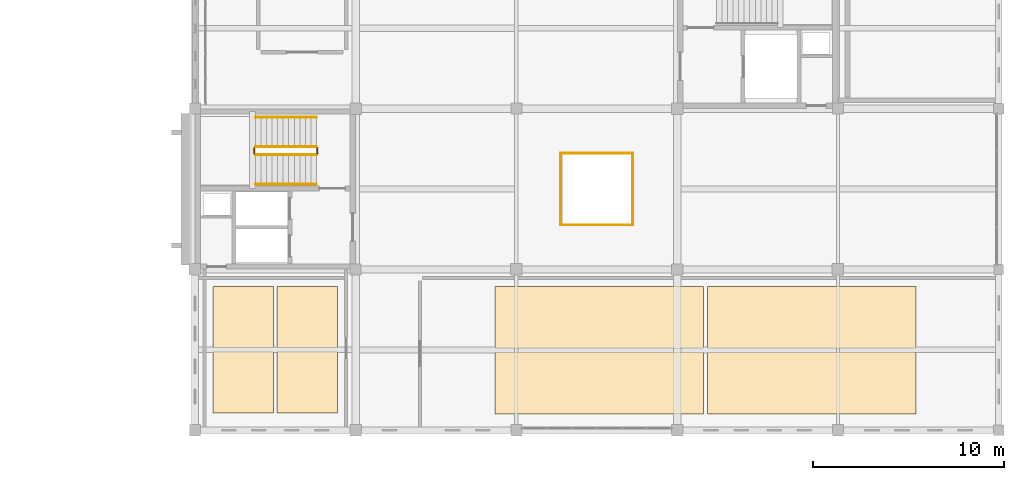
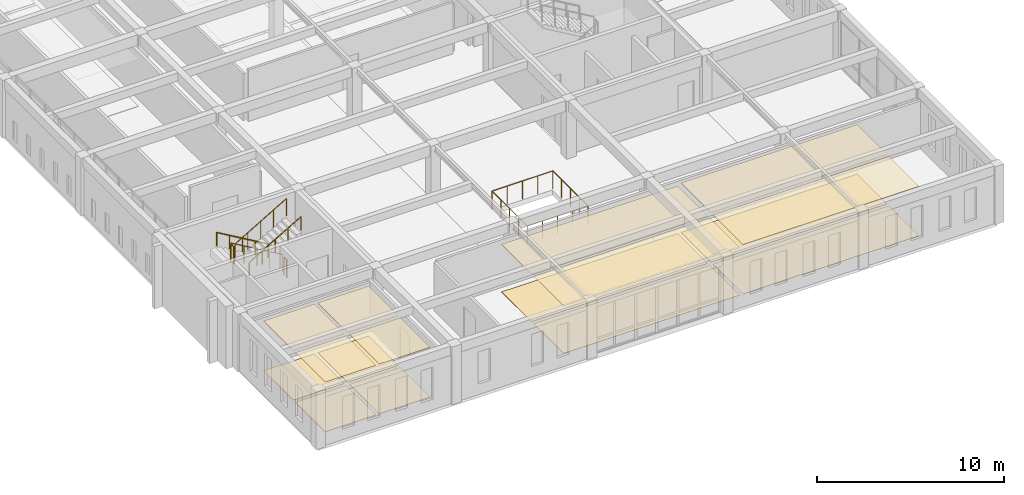
# One storey, part 52 of 56: 16 coverings, 10 railings.
"""IFC4 building model written with IfcOpenShell, lengths in metres."""

from ifc_helpers import new_model, si_unit, direction, frame, origin, origin_2d, place, context, subcontext, project, spatial, rectangle, circle, extrude, material, layer, layer_set, type_object, element, save


model = new_model("IFC4")

# Units and contexts
model_context = context("Model", 3, precision=1e-05, world=origin(), true_north=direction((0.0, 1.0)))
body_context = subcontext(model_context, "Body", "Model", "MODEL_VIEW")
ifc_project = project(units=[si_unit("LENGTHUNIT", "METRE"), si_unit("AREAUNIT", "SQUARE_METRE"), si_unit("VOLUMEUNIT", "CUBIC_METRE"), si_unit("PLANEANGLEUNIT", "RADIAN"), si_unit("MASSUNIT", "GRAM", prefix="KILO")], contexts=[model_context])

# Site, building, storey
site_placement = place(None, origin())
site = spatial("IfcSite", under=ifc_project, at=site_placement, CompositionType="ELEMENT")
building_placement = place(site_placement, origin())
building = spatial("IfcBuilding", under=site, at=building_placement, Name="Kveldsbrygga Polytechnic", CompositionType="ELEMENT")
storey_placement = place(building_placement, frame((0.0, 0.0, 18.02001953125)))
storey = spatial("IfcBuildingStorey", under=building, at=storey_placement, Name="L04", CompositionType="ELEMENT", Elevation=18.02001953125)

# Coverings
ifc_material_1 = material(Name="Acoustic mineral baffle ceiling")
ifc_layer_1 = layer(ifc_material_1, 0.030029296875)
ifc_layer_set_1 = layer_set([ifc_layer_1], Name="Acoustic mineral baffle ceiling")
covering_type_1 = type_object("IfcCoveringType", Name="COV-CEIL-AC30", PredefinedType="CEILING", material=ifc_layer_set_1)
for number, where, z_axis, x_axis, name in (
    (1, (147.125, 19.262451171875, 3.10009765625), (0.0, 0.0, 1.0), (1.0, 0.0, 0.0), "Acoustic Ceiling SP-L04-STD41-WS"),
    (2, (147.125, 22.6875, 3.10009765625), (0.0, 0.0, 1.0), (1.0, 0.0, 0.0), "Acoustic Ceiling SP-L04-STD41-WN"),
    (3, (158.22509765625, 19.262451171875, 3.22998046875), (0.0, 0.0, 1.0), (1.0, 0.0, 0.0), "Acoustic Ceiling SP-L04-STD41-ES"),
    (4, (158.22509765625, 22.6875, 3.22998046875), (0.0, 0.0, 1.0), (1.0, 0.0, 0.0), "Acoustic Ceiling SP-L04-STD41-EN"),
):
    element("IfcCovering", number, at=place(storey_placement, frame(where, z_axis=z_axis, x_axis=x_axis)), inside=storey, type_object=covering_type_1, Name=name, PredefinedType="CEILING", context=body_context, shape_type="SweptSolid", body=[
        extrude(rectangle(XDim=10.89990234375, YDim=3.22509765625, at=origin_2d()), origin(), (0.0, 0.0, 1.0), 0.030029296875),
    ])
for number, where, z_axis, x_axis, name in (
    (5, (128.52490234375, 19.300048828125, 3.25), (0.0, 0.0, 1.0), (1.0, 0.0, 0.0), "Acoustic Ceiling SP-L04-SEM42-WS"),
    (6, (128.52490234375, 22.699951171875, 3.25), (0.0, 0.0, 1.0), (1.0, 0.0, 0.0), "Acoustic Ceiling SP-L04-SEM42-WN"),
    (7, (131.875, 19.300048828125, 3.25), (0.0, 0.0, 1.0), (1.0, 0.0, 0.0), "Acoustic Ceiling SP-L04-SEM42-ES"),
    (8, (131.875, 22.699951171875, 3.25), (0.0, 0.0, 1.0), (1.0, 0.0, 0.0), "Acoustic Ceiling SP-L04-SEM42-EN"),
):
    element("IfcCovering", number, at=place(storey_placement, frame(where, z_axis=z_axis, x_axis=x_axis)), inside=storey, type_object=covering_type_1, Name=name, PredefinedType="CEILING", context=body_context, shape_type="SweptSolid", body=[
        extrude(rectangle(XDim=3.14990234375, YDim=3.199951171875, at=origin_2d()), origin(), (0.0, 0.0, 1.0), 0.030029296875),
    ])
ifc_material_2 = material(Name="Acoustic oak timber flooring", Category="wood")
ifc_layer_2 = layer(ifc_material_2, 0.02197265625)
ifc_layer_set_2 = layer_set([ifc_layer_2], Name="Acoustic oak timber flooring")
covering_type_2 = type_object("IfcCoveringType", Name="COV-FLR-OAK22", PredefinedType="FLOORING", material=ifc_layer_set_2)
for number, where, z_axis, x_axis, name in (
    (9, (147.125, 19.262451171875, 0.0), (0.0, 0.0, 1.0), (1.0, 0.0, 0.0), "Room Flooring SP-L04-STD41-WS"),
    (10, (147.125, 22.6875, 0.0), (0.0, 0.0, 1.0), (1.0, 0.0, 0.0), "Room Flooring SP-L04-STD41-WN"),
    (11, (158.22509765625, 19.262451171875, 0.0), (0.0, 0.0, 1.0), (1.0, 0.0, 0.0), "Room Flooring SP-L04-STD41-ES"),
    (12, (158.22509765625, 22.6875, 0.0), (0.0, 0.0, 1.0), (1.0, 0.0, 0.0), "Room Flooring SP-L04-STD41-EN"),
):
    element("IfcCovering", number, at=place(storey_placement, frame(where, z_axis=z_axis, x_axis=x_axis)), inside=storey, type_object=covering_type_2, Name=name, PredefinedType="FLOORING", context=body_context, shape_type="SweptSolid", body=[
        extrude(rectangle(XDim=10.89990234375, YDim=3.22509765625, at=origin_2d()), origin(), (0.0, 0.0, 1.0), 0.02197265625),
    ])
for number, where, z_axis, x_axis, name in (
    (13, (128.52490234375, 19.300048828125, 0.0), (0.0, 0.0, 1.0), (1.0, 0.0, 0.0), "Room Flooring SP-L04-SEM42-WS"),
    (14, (128.52490234375, 22.699951171875, 0.0), (0.0, 0.0, 1.0), (1.0, 0.0, 0.0), "Room Flooring SP-L04-SEM42-WN"),
    (15, (131.875, 19.300048828125, 0.0), (0.0, 0.0, 1.0), (1.0, 0.0, 0.0), "Room Flooring SP-L04-SEM42-ES"),
    (16, (131.875, 22.699951171875, 0.0), (0.0, 0.0, 1.0), (1.0, 0.0, 0.0), "Room Flooring SP-L04-SEM42-EN"),
):
    element("IfcCovering", number, at=place(storey_placement, frame(where, z_axis=z_axis, x_axis=x_axis)), inside=storey, type_object=covering_type_2, Name=name, PredefinedType="FLOORING", context=body_context, shape_type="SweptSolid", body=[
        extrude(rectangle(XDim=3.14990234375, YDim=3.199951171875, at=origin_2d()), origin(), (0.0, 0.0, 1.0), 0.02197265625),
    ])

# Railings
ifc_material_3 = material(Name="Steel S355", Category="steel")
railing_type_1 = type_object("IfcRailingType", Name="RL-STAIR-GRD", PredefinedType="GUARDRAIL", material=ifc_material_3)
railing_1_placement = place(storey_placement, frame((132.35009765625, 31.60009765625, 0.169921875)))
element("IfcRailing", 17, at=railing_1_placement, inside=storey, type_object=railing_type_1, Name="L04 ST-1 stair guard 1", PredefinedType="GUARDRAIL", context=body_context, shape_type="SweptSolid", body=[
    extrude(circle(Radius=0.02392578125, at=origin_2d()), frame((0.0, 0.0, 1.1259765625), z_axis=(-0.862696976859, 0.0, 0.505721194057), x_axis=(0.0, -1.0, 0.0)), (0.0, 0.0, 1.0), 3.697998046875),
    extrude(circle(Radius=0.02099609375, at=origin_2d()), origin(), (0.0, 0.0, 1.0), 1.097900390625),
    extrude(circle(Radius=0.02099609375, at=origin_2d()), frame((-0.797607421875, 0.0, 0.467529296875)), (0.0, 0.0, 1.0), 1.097900390625),
    extrude(circle(Radius=0.02099609375, at=origin_2d()), frame((-1.59521484375, 0.0, 0.93505859375)), (0.0, 0.0, 1.0), 1.097900390625),
    extrude(circle(Radius=0.02099609375, at=origin_2d()), frame((-2.392578125, 0.0, 1.402587890625)), (0.0, 0.0, 1.0), 1.097900390625),
    extrude(circle(Radius=0.02099609375, at=origin_2d()), frame((-3.190185546875, 0.0, 1.8701171875)), (0.0, 0.0, 1.0), 1.097900390625),
])
railing_2_placement = place(storey_placement, frame((129.110107421875, 31.550048828125, 2.0400390625)))
element("IfcRailing", 18, at=railing_2_placement, inside=storey, type_object=railing_type_1, Name="L04 ST-1 stair guard 2", PredefinedType="GUARDRAIL", context=body_context, shape_type="SweptSolid", body=[
    extrude(circle(Radius=0.02392578125, at=origin_2d()), frame((0.0, 0.0, 1.1259765625), z_axis=(0.0, -1.0, 0.0), x_axis=(1.0, 0.0, 0.0)), (0.0, 0.0, 1.0), 0.300048828125),
    extrude(circle(Radius=0.02099609375, at=origin_2d()), origin(), (0.0, 0.0, 1.0), 1.097900390625),
    extrude(circle(Radius=0.02099609375, at=origin_2d()), frame((0.0, -0.300048828125, 0.0)), (0.0, 0.0, 1.0), 1.097900390625),
])
railing_3_placement = place(storey_placement, frame((129.159912109375, 31.199951171875, 2.2099609375)))
element("IfcRailing", 19, at=railing_3_placement, inside=storey, type_object=railing_type_1, Name="L04 ST-1 stair guard 3", PredefinedType="GUARDRAIL", context=body_context, shape_type="SweptSolid", body=[
    extrude(circle(Radius=0.02392578125, at=origin_2d()), frame((0.0, 0.0, 1.1259765625), z_axis=(0.862696976859, 0.0, 0.505721194057), x_axis=(0.0, 1.0, 0.0)), (0.0, 0.0, 1.0), 3.697998046875),
    extrude(circle(Radius=0.02099609375, at=origin_2d()), origin(), (0.0, 0.0, 1.0), 1.097900390625),
    extrude(circle(Radius=0.02099609375, at=origin_2d()), frame((0.797607421875, 0.0, 0.467529296875)), (0.0, 0.0, 1.0), 1.097900390625),
    extrude(circle(Radius=0.02099609375, at=origin_2d()), frame((1.59521484375, 0.0, 0.93505859375)), (0.0, 0.0, 1.0), 1.097900390625),
    extrude(circle(Radius=0.02099609375, at=origin_2d()), frame((2.392578125, 0.0, 1.402587890625)), (0.0, 0.0, 1.0), 1.097900390625),
    extrude(circle(Radius=0.02099609375, at=origin_2d()), frame((3.190185546875, 0.0, 1.8701171875)), (0.0, 0.0, 1.0), 1.097900390625),
])
railing_4_placement = place(storey_placement, frame((132.39990234375, 31.550048828125, 0.0)))
element("IfcRailing", 20, at=railing_4_placement, inside=storey, type_object=railing_type_1, Name="L04 ST-1 stair guard 4", PredefinedType="GUARDRAIL", context=body_context, shape_type="SweptSolid", body=[
    extrude(circle(Radius=0.02392578125, at=origin_2d()), frame((0.0, 0.0, 1.1259765625), z_axis=(0.0, -1.0, 0.0), x_axis=(1.0, 0.0, 0.0)), (0.0, 0.0, 1.0), 0.300048828125),
    extrude(circle(Radius=0.02099609375, at=origin_2d()), origin(), (0.0, 0.0, 1.0), 1.097900390625),
    extrude(circle(Radius=0.02099609375, at=origin_2d()), frame((0.0, -0.300048828125, 0.0)), (0.0, 0.0, 1.0), 1.097900390625),
])
railing_type_2 = type_object("IfcRailingType", Name="RL-STAIR-HND", PredefinedType="HANDRAIL", material=ifc_material_3)
railing_5_placement = place(storey_placement, frame((132.35009765625, 33.14990234375, 0.169921875)))
element("IfcRailing", 21, at=railing_5_placement, inside=storey, type_object=railing_type_2, Name="L04 ST-1 stair handrail 1", PredefinedType="HANDRAIL", context=body_context, shape_type="SweptSolid", body=[
    extrude(circle(Radius=0.02392578125, at=origin_2d()), frame((0.0, 0.0, 0.8759765625), z_axis=(-0.862696976859, 0.0, 0.505721194057), x_axis=(0.0, -1.0, 0.0)), (0.0, 0.0, 1.0), 3.697998046875),
    extrude(circle(Radius=0.02099609375, at=origin_2d()), origin(), (0.0, 0.0, 1.0), 0.847900390625),
    extrude(circle(Radius=0.02099609375, at=origin_2d()), frame((-0.797607421875, 0.0, 0.467529296875)), (0.0, 0.0, 1.0), 0.847900390625),
    extrude(circle(Radius=0.02099609375, at=origin_2d()), frame((-1.59521484375, 0.0, 0.93505859375)), (0.0, 0.0, 1.0), 0.847900390625),
    extrude(circle(Radius=0.02099609375, at=origin_2d()), frame((-2.392578125, 0.0, 1.402587890625)), (0.0, 0.0, 1.0), 0.847900390625),
    extrude(circle(Radius=0.02099609375, at=origin_2d()), frame((-3.190185546875, 0.0, 1.8701171875)), (0.0, 0.0, 1.0), 0.847900390625),
])
railing_6_placement = place(storey_placement, frame((129.159912109375, 29.64990234375, 2.2099609375)))
element("IfcRailing", 22, at=railing_6_placement, inside=storey, type_object=railing_type_2, Name="L04 ST-1 stair handrail 2", PredefinedType="HANDRAIL", context=body_context, shape_type="SweptSolid", body=[
    extrude(circle(Radius=0.02392578125, at=origin_2d()), frame((0.0, 0.0, 0.8759765625), z_axis=(0.862696976859, 0.0, 0.505721194057), x_axis=(0.0, 1.0, 0.0)), (0.0, 0.0, 1.0), 3.697998046875),
    extrude(circle(Radius=0.02099609375, at=origin_2d()), origin(), (0.0, 0.0, 1.0), 0.847900390625),
    extrude(circle(Radius=0.02099609375, at=origin_2d()), frame((0.797607421875, 0.0, 0.467529296875)), (0.0, 0.0, 1.0), 0.847900390625),
    extrude(circle(Radius=0.02099609375, at=origin_2d()), frame((1.59521484375, 0.0, 0.93505859375)), (0.0, 0.0, 1.0), 0.847900390625),
    extrude(circle(Radius=0.02099609375, at=origin_2d()), frame((2.392578125, 0.0, 1.402587890625)), (0.0, 0.0, 1.0), 0.847900390625),
    extrude(circle(Radius=0.02099609375, at=origin_2d()), frame((3.190185546875, 0.0, 1.8701171875)), (0.0, 0.0, 1.0), 0.847900390625),
])
railing_type_3 = type_object("IfcRailingType", Name="RL-VOID-GRD", PredefinedType="GUARDRAIL", material=ifc_material_3)
railing_7_placement = place(storey_placement, frame((145.1201171875, 27.52001953125, 0.0)))
element("IfcRailing", 23, at=railing_7_placement, inside=storey, type_object=railing_type_3, Name="Atrium Well Guard GRD-L04-WELL-3-S", PredefinedType="GUARDRAIL", context=body_context, shape_type="SweptSolid", body=[
    extrude(circle(Radius=0.02392578125, at=origin_2d()), frame((0.0, 0.0, 1.17578125), z_axis=(1.0, 0.0, 0.0), x_axis=(0.0, 1.0, 0.0)), (0.0, 0.0, 1.0), 3.759765625),
    extrude(circle(Radius=0.02099609375, at=origin_2d()), origin(), (0.0, 0.0, 1.0), 1.14794921875),
    extrude(circle(Radius=0.02099609375, at=origin_2d()), frame((0.93994140625, 0.0, 0.0)), (0.0, 0.0, 1.0), 1.14794921875),
    extrude(circle(Radius=0.02099609375, at=origin_2d()), frame((1.8798828125, 0.0, 0.0)), (0.0, 0.0, 1.0), 1.14794921875),
    extrude(circle(Radius=0.02099609375, at=origin_2d()), frame((2.81982421875, 0.0, 0.0)), (0.0, 0.0, 1.0), 1.14794921875),
    extrude(circle(Radius=0.02099609375, at=origin_2d()), frame((3.759765625, 0.0, 0.0)), (0.0, 0.0, 1.0), 1.14794921875),
])
railing_8_placement = place(storey_placement, frame((148.8798828125, 27.52001953125, 0.0)))
element("IfcRailing", 24, at=railing_8_placement, inside=storey, type_object=railing_type_3, Name="Atrium Well Guard GRD-L04-WELL-3-E", PredefinedType="GUARDRAIL", context=body_context, shape_type="SweptSolid", body=[
    extrude(circle(Radius=0.02392578125, at=origin_2d()), frame((0.0, 0.0, 1.17578125), z_axis=(0.0, 1.0, 0.0), x_axis=(-1.0, 0.0, 0.0)), (0.0, 0.0, 1.0), 3.760009765625),
    extrude(circle(Radius=0.02099609375, at=origin_2d()), origin(), (0.0, 0.0, 1.0), 1.14794921875),
    extrude(circle(Radius=0.02099609375, at=origin_2d()), frame((0.0, 0.93994140625, 0.0)), (0.0, 0.0, 1.0), 1.14794921875),
    extrude(circle(Radius=0.02099609375, at=origin_2d()), frame((0.0, 1.8798828125, 0.0)), (0.0, 0.0, 1.0), 1.14794921875),
    extrude(circle(Radius=0.02099609375, at=origin_2d()), frame((0.0, 2.820068359375, 0.0)), (0.0, 0.0, 1.0), 1.14794921875),
    extrude(circle(Radius=0.02099609375, at=origin_2d()), frame((0.0, 3.760009765625, 0.0)), (0.0, 0.0, 1.0), 1.14794921875),
])
railing_9_placement = place(storey_placement, frame((148.8798828125, 31.280029296875, 0.0)))
element("IfcRailing", 25, at=railing_9_placement, inside=storey, type_object=railing_type_3, Name="Atrium Well Guard GRD-L04-WELL-3-N", PredefinedType="GUARDRAIL", context=body_context, shape_type="SweptSolid", body=[
    extrude(circle(Radius=0.02392578125, at=origin_2d()), frame((0.0, 0.0, 1.17578125), z_axis=(-1.0, 0.0, 0.0), x_axis=(0.0, -1.0, 0.0)), (0.0, 0.0, 1.0), 3.759765625),
    extrude(circle(Radius=0.02099609375, at=origin_2d()), origin(), (0.0, 0.0, 1.0), 1.14794921875),
    extrude(circle(Radius=0.02099609375, at=origin_2d()), frame((-0.93994140625, 0.0, 0.0)), (0.0, 0.0, 1.0), 1.14794921875),
    extrude(circle(Radius=0.02099609375, at=origin_2d()), frame((-1.8798828125, 0.0, 0.0)), (0.0, 0.0, 1.0), 1.14794921875),
    extrude(circle(Radius=0.02099609375, at=origin_2d()), frame((-2.81982421875, 0.0, 0.0)), (0.0, 0.0, 1.0), 1.14794921875),
    extrude(circle(Radius=0.02099609375, at=origin_2d()), frame((-3.759765625, 0.0, 0.0)), (0.0, 0.0, 1.0), 1.14794921875),
])
railing_10_placement = place(storey_placement, frame((145.1201171875, 31.280029296875, 0.0)))
element("IfcRailing", 26, at=railing_10_placement, inside=storey, type_object=railing_type_3, Name="Atrium Well Guard GRD-L04-WELL-3-W", PredefinedType="GUARDRAIL", context=body_context, shape_type="SweptSolid", body=[
    extrude(circle(Radius=0.02392578125, at=origin_2d()), frame((0.0, 0.0, 1.17578125), z_axis=(0.0, -1.0, 0.0), x_axis=(1.0, 0.0, 0.0)), (0.0, 0.0, 1.0), 3.760009765625),
    extrude(circle(Radius=0.02099609375, at=origin_2d()), origin(), (0.0, 0.0, 1.0), 1.14794921875),
    extrude(circle(Radius=0.02099609375, at=origin_2d()), frame((0.0, -0.93994140625, 0.0)), (0.0, 0.0, 1.0), 1.14794921875),
    extrude(circle(Radius=0.02099609375, at=origin_2d()), frame((0.0, -1.8798828125, 0.0)), (0.0, 0.0, 1.0), 1.14794921875),
    extrude(circle(Radius=0.02099609375, at=origin_2d()), frame((0.0, -2.820068359375, 0.0)), (0.0, 0.0, 1.0), 1.14794921875),
    extrude(circle(Radius=0.02099609375, at=origin_2d()), frame((0.0, -3.760009765625, 0.0)), (0.0, 0.0, 1.0), 1.14794921875),
])

save(model, "model.ifc")
